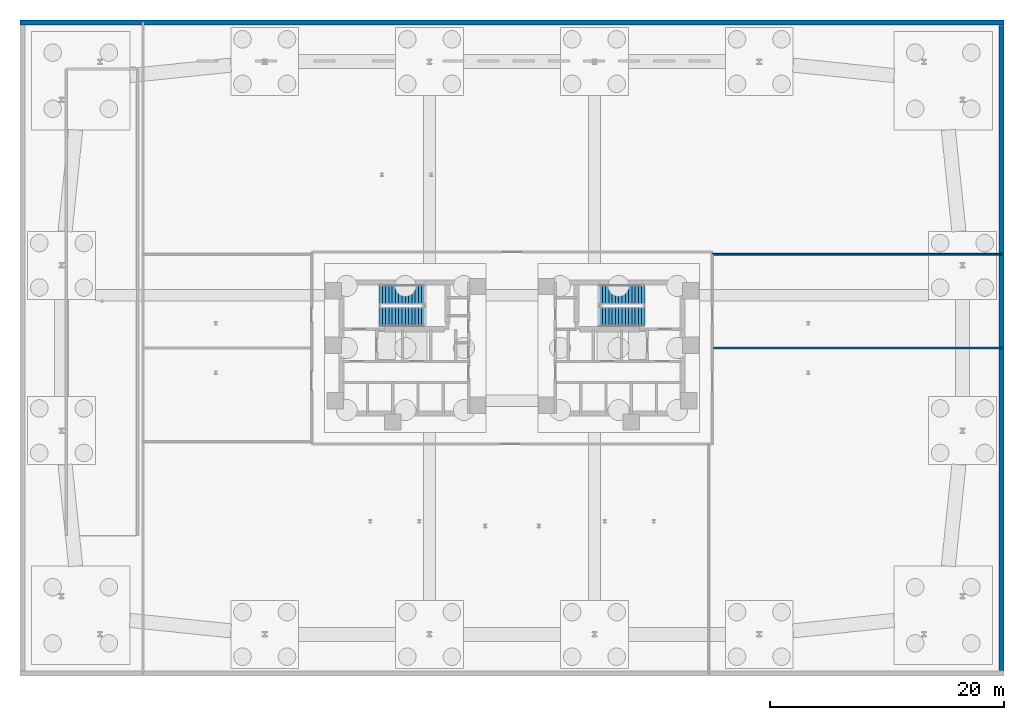
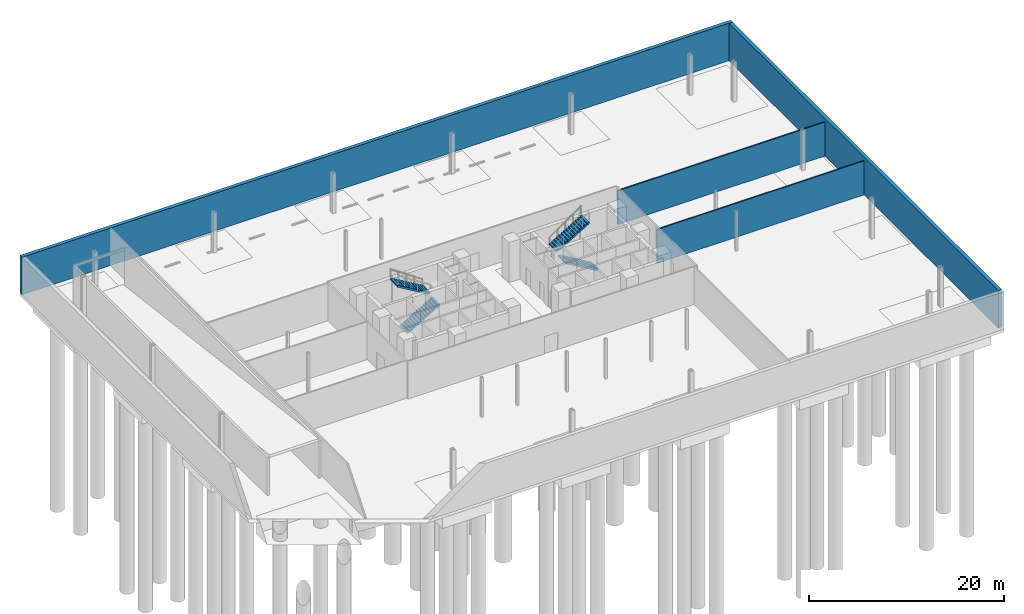
# One storey, part 13 of 16: 4 stair flights, 4 walls, 2 elements without a shape of their own.
"""IFC4 building model written with IfcOpenShell, lengths in metres."""

import ifcopenshell
import ifcopenshell.guid

model = None  # the IFC model being written
_history = None  # IfcOwnerHistory: only IFC2X3 demands one
_inside = {}  # id of a spatial element -> (the spatial element, [elements in it])
_under = {}  # id of a project, library or spatial element -> (it, [spatial elements below it])
_declared = {}  # id of a project -> (the project, [libraries it declares])
_typed = {}  # id of a type object -> (the type object, [elements of that type])
_made_of = {}  # id of a material, layer set ... -> (it, [elements and type objects made of it])


def new_model(schema):
    """Start an empty IFC model of exactly this schema.

    Asked for "IFC4X3", IfcOpenShell would pick the latest addendum, in which some entities
    have other attributes; the version numbers below select the first issue.
    IFC2X3 requires an IfcOwnerHistory on every rooted entity: one is made here for all.
    """
    global model, _history
    if schema == "IFC4X3":
        model = ifcopenshell.file(schema_version=(4, 3, 0, 0))
    else:
        model = ifcopenshell.file(schema=schema)
    _inside.clear()
    _under.clear()
    _declared.clear()
    _typed.clear()
    _made_of.clear()
    _history = None
    if model.schema == "IFC2X3":
        org = make("IfcOrganization", Name="unknown")
        user = make(
            "IfcPersonAndOrganization",
            ThePerson=make("IfcPerson", FamilyName="unknown"),
            TheOrganization=org,
        )
        app = make(
            "IfcApplication",
            ApplicationDeveloper=org,
            Version="unknown",
            ApplicationFullName="unknown",
            ApplicationIdentifier="unknown",
        )
        _history = make(
            "IfcOwnerHistory",
            OwningUser=user,
            OwningApplication=app,
            ChangeAction="ADDED",
            CreationDate=0,
        )
    return model


def make(cls, **values):
    """One entity of the class cls with the attributes given. An attribute that is None is left unset."""
    return model.create_entity(
        cls, **{name: value for name, value in values.items() if value is not None}
    )


def rooted(cls, **values):
    """An entity with a GlobalId (a new one), such as an element, a storey or a relation."""
    return make(cls, GlobalId=ifcopenshell.guid.new(), OwnerHistory=_history, **values)


def si_unit(unit_type, name, prefix=None):
    """IfcSIUnit, for example si_unit("LENGTHUNIT", "METRE", prefix="MILLI")."""
    return make("IfcSIUnit", UnitType=unit_type, Prefix=prefix, Name=name)


def assignment(units):
    """IfcUnitAssignment: the units of a project."""
    return None if units is None else make("IfcUnitAssignment", Units=units)


def point(xyz):
    """IfcCartesianPoint."""
    return None if xyz is None else make("IfcCartesianPoint", Coordinates=xyz)


def direction(xyz):
    """IfcDirection."""
    return None if xyz is None else make("IfcDirection", DirectionRatios=xyz)


def frame(location, z_axis=None, x_axis=None):
    """IfcAxis2Placement3D, a coordinate frame: its origin and axes. An axis left out is left unset."""
    return make(
        "IfcAxis2Placement3D",
        Location=point(location),
        Axis=direction(z_axis),
        RefDirection=direction(x_axis),
    )


def frame_2d(location, x_axis=None):
    """IfcAxis2Placement2D, a coordinate frame in the plane: its origin and x axis."""
    return make(
        "IfcAxis2Placement2D", Location=point(location), RefDirection=direction(x_axis)
    )


def origin():
    """The frame at (0, 0, 0) with its axes left unset."""
    return frame((0.0, 0.0, 0.0))


def place(relative_to, where):
    """IfcLocalPlacement: puts the frame where relative to a parent placement (None: the world)."""
    return make(
        "IfcLocalPlacement", PlacementRelTo=relative_to, RelativePlacement=where
    )


def context(
    kind, dimensions, precision=None, world=None, true_north=None, identifier=None
):
    """IfcGeometricRepresentationContext, for example the 3D "Model" context."""
    return make(
        "IfcGeometricRepresentationContext",
        ContextIdentifier=identifier,
        ContextType=kind,
        CoordinateSpaceDimension=dimensions,
        Precision=precision,
        WorldCoordinateSystem=world,
        TrueNorth=true_north,
    )


def subcontext(parent, identifier, kind, view, scale=None):
    """IfcGeometricRepresentationSubContext, for example "Body" below "Model"."""
    return make(
        "IfcGeometricRepresentationSubContext",
        ContextIdentifier=identifier,
        ContextType=kind,
        ParentContext=parent,
        TargetScale=scale,
        TargetView=view,
    )


def project(units=None, contexts=None):
    """IfcProject with its units and contexts."""
    return rooted(
        "IfcProject",
        Name="project",
        RepresentationContexts=contexts,
        UnitsInContext=assignment(units),
    )


def spatial(cls, under=None, at=None, **own):
    """A site, building, storey or space (cls), placed at a placement, below another one or the project."""
    s = rooted(cls, ObjectPlacement=at, **own)
    if under is not None:
        _under.setdefault(under.id(), (under, []))[1].append(s)
    return s


def polyline(points):
    """IfcPolyline through the points."""
    return make("IfcPolyline", Points=[point(p) for p in points])


def profile(cls, at=None, kind="AREA", **sizes):
    """A parametric profile (cls). Its sizes go by their IFC names, for example OverallWidth=200.0."""
    return make(cls, ProfileType=kind, Position=at, **sizes)


def rectangle(**sizes):
    """IfcRectangleProfileDef."""
    return profile("IfcRectangleProfileDef", **sizes)


def outline(outer, holes=None, kind="AREA"):
    """IfcArbitraryClosedProfileDef: a profile drawn as a closed curve; with holes, ...WithVoids."""
    if holes is None:
        return make("IfcArbitraryClosedProfileDef", ProfileType=kind, OuterCurve=outer)
    return make(
        "IfcArbitraryProfileDefWithVoids",
        ProfileType=kind,
        OuterCurve=outer,
        InnerCurves=holes,
    )


def extrude(swept, where, along, depth):
    """IfcExtrudedAreaSolid: the profile swept, set in the frame where, extruded along a direction by depth."""
    return make(
        "IfcExtrudedAreaSolid",
        SweptArea=swept,
        Position=where,
        ExtrudedDirection=direction(along),
        Depth=depth,
    )


def shape(context_of_items, identifier, shape_type, items):
    """IfcShapeRepresentation: the items that make up one representation, for example the "Body"."""
    return make(
        "IfcShapeRepresentation",
        ContextOfItems=context_of_items,
        RepresentationIdentifier=identifier,
        RepresentationType=shape_type,
        Items=items,
    )


def material(Name=None, Category=None):
    """IfcMaterial."""
    return make("IfcMaterial", Name=Name, Category=Category)


def layer(
    of_material, thickness, ventilated=None, Name=None, Category=None, Priority=None
):
    """IfcMaterialLayer: one layer of a wall or slab, of a material (None: an air gap)."""
    return make(
        "IfcMaterialLayer",
        Material=of_material,
        LayerThickness=thickness,
        IsVentilated=ventilated,
        Name=Name,
        Category=Category,
        Priority=Priority,
    )


def layer_set(layers, Name=None):
    """IfcMaterialLayerSet."""
    return make("IfcMaterialLayerSet", MaterialLayers=layers, LayerSetName=Name)


def made_of(thing, what):
    """Note that an element or type object is made of a material, layer set ...; save() writes the relation."""
    if what is not None:
        _made_of.setdefault(what.id(), (what, []))[1].append(thing)
    return thing


def type_object(cls, material=None, **own):
    """A type object (cls), such as IfcWallType, which elements share."""
    return made_of(rooted(cls, **own), material)


def element(
    cls,
    number,
    at=None,
    inside=None,
    cuts=None,
    type_object=None,
    material=None,
    context=None,
    identifier="Body",
    shape_type=None,
    held_by="IfcProductDefinitionShape",
    body=None,
    shapes=None,
    **own,
):
    """One element of the class cls, such as IfcWall. Its Tag is "e" and its number.

    at: its placement. inside: the storey or other place that contains it. cuts: it is an
    opening in that element (IfcRelVoidsElement). A single representation is given by context,
    identifier, shape_type and body (its items); several are given by shapes. held_by: the class
    of the entity that holds the representations. save() writes the other relations.
    """
    e = rooted(cls, Tag="e%d" % number, ObjectPlacement=at, **own)
    if body is not None:
        shapes = [shape(context, identifier, shape_type, body)]
    if shapes is not None:
        e.Representation = make(held_by, Representations=shapes)
    if inside is not None:
        _inside.setdefault(inside.id(), (inside, []))[1].append(e)
    if cuts is not None:
        rooted(
            "IfcRelVoidsElement", RelatingBuildingElement=cuts, RelatedOpeningElement=e
        )
    if type_object is not None:
        _typed.setdefault(type_object.id(), (type_object, []))[1].append(e)
    return made_of(e, material)


def aggregate(whole, parts):
    """IfcRelAggregates: a whole, such as a stair, and the parts it consists of."""
    return rooted("IfcRelAggregates", RelatingObject=whole, RelatedObjects=parts)


def save(model, path):
    """Write the relations noted so far, then the file.

    IfcRelAggregates (storeys below a building ...), IfcRelContainedInSpatialStructure (elements
    in a storey), IfcRelDefinesByType, IfcRelAssociatesMaterial and IfcRelDeclares: one each for
    every whole, place, type object, material and project.
    """
    for whole, parts in _under.values():
        aggregate(whole, parts)
    for where, things in _inside.values():
        rooted(
            "IfcRelContainedInSpatialStructure",
            RelatedElements=things,
            RelatingStructure=where,
        )
    for kind, things in _typed.values():
        rooted("IfcRelDefinesByType", RelatedObjects=things, RelatingType=kind)
    for what, things in _made_of.values():
        rooted("IfcRelAssociatesMaterial", RelatedObjects=things, RelatingMaterial=what)
    for by, libraries in _declared.values():
        rooted("IfcRelDeclares", RelatingContext=by, RelatedDefinitions=libraries)
    model.write(path)


model = new_model("IFC4")

# Units and contexts
model_context = context("Model", 3, precision=1e-05, world=origin(), true_north=direction((0.0, 1.0)))
body_context = subcontext(model_context, "Body", "Model", "MODEL_VIEW")
ifc_project = project(units=[si_unit("LENGTHUNIT", "METRE"), si_unit("AREAUNIT", "SQUARE_METRE"), si_unit("VOLUMEUNIT", "CUBIC_METRE"), si_unit("PLANEANGLEUNIT", "RADIAN"), si_unit("MASSUNIT", "GRAM", prefix="KILO")], contexts=[model_context])

# Site, building, storey
site_placement = place(None, origin())
site = spatial("IfcSite", under=ifc_project, at=site_placement, CompositionType="ELEMENT")
building_placement = place(site_placement, origin())
building = spatial("IfcBuilding", under=site, at=building_placement, Name="Menara Jurai Vektor", CompositionType="ELEMENT")
storey_placement = place(building_placement, frame((0.0, 0.0, -5.0)))
storey = spatial("IfcBuildingStorey", under=building, at=storey_placement, Name="B1", CompositionType="ELEMENT", Elevation=-5.0)

# Walls
ifc_material_1 = material(Name="Gypsum Fireboard Partition", Category="gypsum")
ifc_layer_1 = layer(ifc_material_1, 0.14990234375)
ifc_layer_set_1 = layer_set([ifc_layer_1], Name="Gypsum Fireboard Partition")
wall_type_1 = type_object("IfcWallType", Name="INT-WALL-CORR-150-H1", PredefinedType="PARTITIONING", material=ifc_layer_set_1)
for number, where, z_axis, x_axis, name in (
    (1, (17.10009765625, 8.0, 0.0), (0.0, 0.0, 1.0), (1.0, 0.0, 0.0), "Interior Wall IW-150 B1"),
    (2, (17.10009765625, 0.0, 0.0), (0.0, 0.0, 1.0), (1.0, 0.0, 0.0), "Interior Wall IW-150 B1"),
):
    element("IfcWall", number, at=place(storey_placement, frame(where, z_axis=z_axis, x_axis=x_axis)), inside=storey, type_object=wall_type_1, Name=name, PredefinedType="PARTITIONING", context=body_context, shape_type="SweptSolid", body=[
        extrude(rectangle(XDim=24.699951171875, YDim=0.14990234375, at=frame_2d((12.35009765625, 0.0))), origin(), (0.0, 0.0, 1.0), 4.25),
    ])
ifc_material_2 = material(Name="Concrete C50/60", Category="concrete")
ifc_layer_2 = layer(ifc_material_2, 0.419921875)
ifc_layer_set_2 = layer_set([ifc_layer_2], Name="Concrete C50/60")
wall_type_2 = type_object("IfcWallType", Name="STR-WALL-RET420", PredefinedType="SHEAR", material=ifc_layer_set_2)
wall_1_placement = place(storey_placement, frame((-42.0, 27.7900390625, 0.0), z_axis=(0.0, 0.0, 1.0), x_axis=(1.0, 0.0, 0.0)))
element("IfcWall", 3, at=wall_1_placement, inside=storey, type_object=wall_type_2, Name="Basement Retaining Wall RW-N", PredefinedType="SHEAR", context=body_context, shape_type="SweptSolid", body=[
    extrude(rectangle(XDim=84.0, YDim=0.419921875, at=frame_2d((42.0, 0.0))), origin(), (0.0, 0.0, 1.0), 4.699951171875),
])
wall_2_placement = place(storey_placement, frame((41.7900390625, -27.550048828125, 0.0), z_axis=(0.0, 0.0, 1.0), x_axis=(0.0, 1.0, 0.0)))
element("IfcWall", 4, at=wall_2_placement, inside=storey, type_object=wall_type_2, Name="Basement Retaining Wall RW-E", PredefinedType="SHEAR", context=body_context, shape_type="SweptSolid", body=[
    extrude(rectangle(XDim=55.10009765625, YDim=0.419921875, at=frame_2d((27.550048828125, 0.0))), origin(), (0.0, 0.0, 1.0), 4.699951171875),
])

# Stair, stair flights
ifc_material_3 = material(Name="Concrete C40/50", Category="concrete")
stair_type = type_object("IfcStairType", Name="STAIR-DOGLEG-1500", PredefinedType="HALF_TURN_STAIR", material=ifc_material_3)
stair_1_placement = place(storey_placement, origin())
stair_1 = element("IfcStair", 5, at=stair_1_placement, inside=storey, type_object=stair_type, Name="Protected Exit Stair ST1 B1", PredefinedType="HALF_TURN_STAIR")
stair_flight_type = type_object("IfcStairFlightType", Name="STAIR-FLIGHT-1500", PredefinedType="STRAIGHT", material=ifc_material_3)
stair_flight_1_placement = place(storey_placement, frame((-11.35009765625, 2.64990234375, 0.0), z_axis=(0.0, 0.0, 1.0), x_axis=(1.0, 0.0, 0.0)))
stair_flight_1 = element("IfcStairFlight", 6, at=stair_flight_1_placement, type_object=stair_flight_type, Name="ST1 flight 1", NumberOfRisers=15, NumberOfTreads=14, PredefinedType="STRAIGHT", RiserHeight=0.166667, TreadLength=0.28, context=body_context, shape_type="SweptSolid", body=[
    extrude(outline(polyline([(0.0, 0.0), (0.0, 0.166748046875), (0.280029296875, 0.166748046875), (0.280029296875, 0.333251953125), (0.56005859375, 0.333251953125), (0.56005859375, 0.5), (0.840087890625, 0.5), (0.840087890625, 0.666748046875), (1.1201171875, 0.666748046875), (1.1201171875, 0.833251953125), (1.39990234375, 0.833251953125), (1.39990234375, 1.0), (1.679931640625, 1.0), (1.679931640625, 1.166748046875), (1.9599609375, 1.166748046875), (1.9599609375, 1.333251953125), (2.239990234375, 1.333251953125), (2.239990234375, 1.5), (2.52001953125, 1.5), (2.52001953125, 1.666748046875), (2.800048828125, 1.666748046875), (2.800048828125, 1.833251953125), (3.080078125, 1.833251953125), (3.080078125, 2.0), (3.360107421875, 2.0), (3.360107421875, 2.166748046875), (3.639892578125, 2.166748046875), (3.639892578125, 2.333251953125), (3.919921875, 2.333251953125), (3.919921875, 2.5), (3.919921875, 2.147216796875), (0.312744140625, 0.0), (0.0, 0.0)])), frame((0.0, 0.75, 0.0), z_axis=(0.0, -1.0, 0.0), x_axis=(1.0, 0.0, 0.0)), (0.0, 0.0, 1.0), 1.5),
])
stair_flight_2_placement = place(storey_placement, frame((-7.429931640625, 4.550048828125, 2.5), z_axis=(0.0, 0.0, 1.0), x_axis=(-1.0, 0.0, 0.0)))
stair_flight_2 = element("IfcStairFlight", 7, at=stair_flight_2_placement, type_object=stair_flight_type, Name="ST1 flight 2", NumberOfRisers=15, NumberOfTreads=14, PredefinedType="STRAIGHT", RiserHeight=0.166667, TreadLength=0.28, context=body_context, shape_type="SweptSolid", body=[
    extrude(outline(polyline([(0.0, 0.0), (0.0, 0.166748046875), (0.280029296875, 0.166748046875), (0.280029296875, 0.333251953125), (0.56005859375, 0.333251953125), (0.56005859375, 0.5), (0.840087890625, 0.5), (0.840087890625, 0.666748046875), (1.1201171875, 0.666748046875), (1.1201171875, 0.833251953125), (1.39990234375, 0.833251953125), (1.39990234375, 1.0), (1.679931640625, 1.0), (1.679931640625, 1.166748046875), (1.9599609375, 1.166748046875), (1.9599609375, 1.333251953125), (2.239990234375, 1.333251953125), (2.239990234375, 1.5), (2.52001953125, 1.5), (2.52001953125, 1.666748046875), (2.800048828125, 1.666748046875), (2.800048828125, 1.833251953125), (3.080078125, 1.833251953125), (3.080078125, 2.0), (3.360107421875, 2.0), (3.360107421875, 2.166748046875), (3.639892578125, 2.166748046875), (3.639892578125, 2.333251953125), (3.919921875, 2.333251953125), (3.919921875, 2.5), (3.919921875, 2.147216796875), (0.312744140625, 0.0), (0.0, 0.0)])), frame((0.0, 0.75, 0.0), z_axis=(0.0, -1.0, 0.0), x_axis=(1.0, 0.0, 0.0)), (0.0, 0.0, 1.0), 1.5),
])
aggregate(stair_1, [stair_flight_1, stair_flight_2])

stair_2_placement = place(storey_placement, origin())
stair_2 = element("IfcStair", 8, at=stair_2_placement, inside=storey, type_object=stair_type, Name="Protected Exit Stair ST2 B1", PredefinedType="HALF_TURN_STAIR")
stair_flight_3_placement = place(storey_placement, frame((11.35009765625, 2.64990234375, 0.0), z_axis=(0.0, 0.0, 1.0), x_axis=(-1.0, 0.0, 0.0)))
stair_flight_3 = element("IfcStairFlight", 9, at=stair_flight_3_placement, type_object=stair_flight_type, Name="ST2 flight 1", NumberOfRisers=15, NumberOfTreads=14, PredefinedType="STRAIGHT", RiserHeight=0.166667, TreadLength=0.28, context=body_context, shape_type="SweptSolid", body=[
    extrude(outline(polyline([(0.0, 0.0), (0.0, 0.166748046875), (0.280029296875, 0.166748046875), (0.280029296875, 0.333251953125), (0.56005859375, 0.333251953125), (0.56005859375, 0.5), (0.840087890625, 0.5), (0.840087890625, 0.666748046875), (1.1201171875, 0.666748046875), (1.1201171875, 0.833251953125), (1.39990234375, 0.833251953125), (1.39990234375, 1.0), (1.679931640625, 1.0), (1.679931640625, 1.166748046875), (1.9599609375, 1.166748046875), (1.9599609375, 1.333251953125), (2.239990234375, 1.333251953125), (2.239990234375, 1.5), (2.52001953125, 1.5), (2.52001953125, 1.666748046875), (2.800048828125, 1.666748046875), (2.800048828125, 1.833251953125), (3.080078125, 1.833251953125), (3.080078125, 2.0), (3.360107421875, 2.0), (3.360107421875, 2.166748046875), (3.639892578125, 2.166748046875), (3.639892578125, 2.333251953125), (3.919921875, 2.333251953125), (3.919921875, 2.5), (3.919921875, 2.147216796875), (0.312744140625, 0.0), (0.0, 0.0)])), frame((0.0, 0.75, 0.0), z_axis=(0.0, -1.0, 0.0), x_axis=(1.0, 0.0, 0.0)), (0.0, 0.0, 1.0), 1.5),
])
stair_flight_4_placement = place(storey_placement, frame((7.429931640625, 4.550048828125, 2.5), z_axis=(0.0, 0.0, 1.0), x_axis=(1.0, 0.0, 0.0)))
stair_flight_4 = element("IfcStairFlight", 10, at=stair_flight_4_placement, type_object=stair_flight_type, Name="ST2 flight 2", NumberOfRisers=15, NumberOfTreads=14, PredefinedType="STRAIGHT", RiserHeight=0.166667, TreadLength=0.28, context=body_context, shape_type="SweptSolid", body=[
    extrude(outline(polyline([(0.0, 0.0), (0.0, 0.166748046875), (0.280029296875, 0.166748046875), (0.280029296875, 0.333251953125), (0.56005859375, 0.333251953125), (0.56005859375, 0.5), (0.840087890625, 0.5), (0.840087890625, 0.666748046875), (1.1201171875, 0.666748046875), (1.1201171875, 0.833251953125), (1.39990234375, 0.833251953125), (1.39990234375, 1.0), (1.679931640625, 1.0), (1.679931640625, 1.166748046875), (1.9599609375, 1.166748046875), (1.9599609375, 1.333251953125), (2.239990234375, 1.333251953125), (2.239990234375, 1.5), (2.52001953125, 1.5), (2.52001953125, 1.666748046875), (2.800048828125, 1.666748046875), (2.800048828125, 1.833251953125), (3.080078125, 1.833251953125), (3.080078125, 2.0), (3.360107421875, 2.0), (3.360107421875, 2.166748046875), (3.639892578125, 2.166748046875), (3.639892578125, 2.333251953125), (3.919921875, 2.333251953125), (3.919921875, 2.5), (3.919921875, 2.147216796875), (0.312744140625, 0.0), (0.0, 0.0)])), frame((0.0, 0.75, 0.0), z_axis=(0.0, -1.0, 0.0), x_axis=(1.0, 0.0, 0.0)), (0.0, 0.0, 1.0), 1.5),
])
aggregate(stair_2, [stair_flight_3, stair_flight_4])

save(model, "model.ifc")
